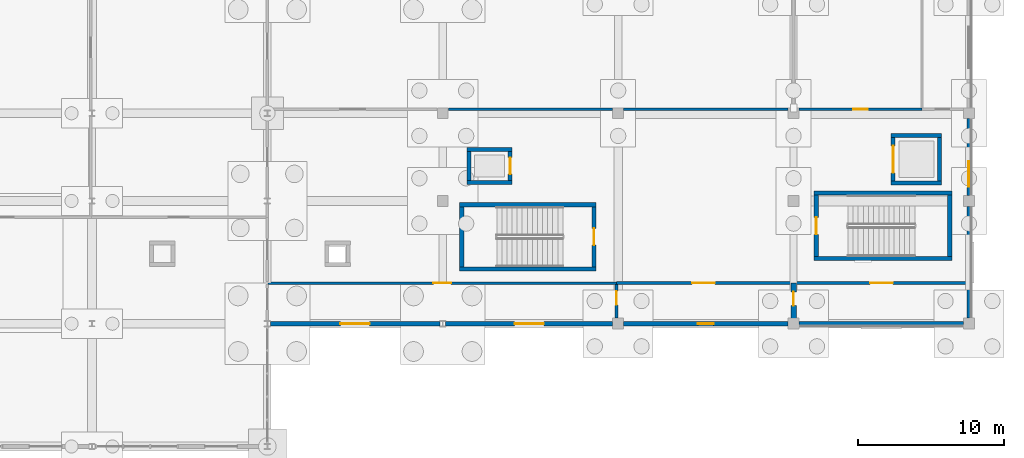
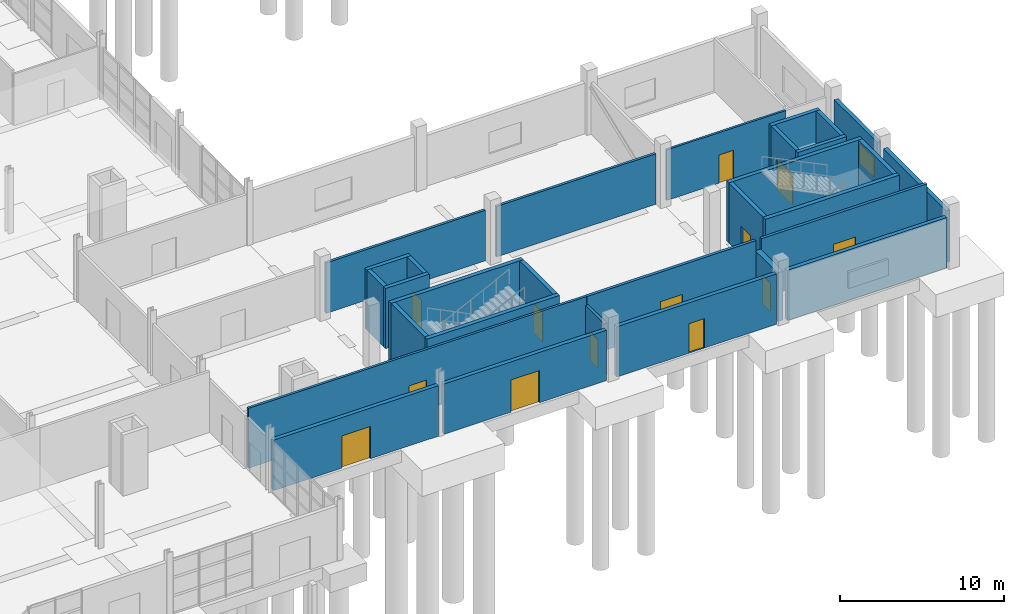
# One storey, part 63 of 82: 30 walls, 13 doors, 1 window, 14 openings.
"""IFC4 building model written with IfcOpenShell, lengths in metres."""

from ifc_helpers import new_model, si_unit, direction, frame, frame_2d, origin, place, context, subcontext, project, spatial, rectangle, extrude, material, layer, layer_set, type_object, element, fill, save


model = new_model("IFC4")

# Units and contexts
model_context = context("Model", 3, precision=1e-05, world=origin(), true_north=direction((0.0, 1.0)))
body_context = subcontext(model_context, "Body", "Model", "MODEL_VIEW")
ifc_project = project(units=[si_unit("LENGTHUNIT", "METRE"), si_unit("AREAUNIT", "SQUARE_METRE"), si_unit("VOLUMEUNIT", "CUBIC_METRE"), si_unit("PLANEANGLEUNIT", "RADIAN"), si_unit("MASSUNIT", "GRAM", prefix="KILO")], contexts=[model_context])

# Site, building, storey
site_placement = place(None, origin())
site = spatial("IfcSite", under=ifc_project, at=site_placement, CompositionType="ELEMENT")
building_placement = place(site_placement, origin())
building = spatial("IfcBuilding", under=site, at=building_placement, Name="Kelmvaro Bay Concert Hall", CompositionType="ELEMENT")
storey_placement = place(building_placement, origin())
storey = spatial("IfcBuildingStorey", under=building, at=storey_placement, Name="L00", CompositionType="ELEMENT", Elevation=0.0)

# Wall, opening, door
ifc_material_1 = material(Name="Acoustic Gypsum Board on Galvanised Steel Studs", Category="steel")
ifc_layer_1 = layer(ifc_material_1, 0.169921875)
ifc_layer_set_1 = layer_set([ifc_layer_1], Name="Acoustic Gypsum Board on Galvanised Steel Studs")
wall_type_1 = type_object("IfcWallType", Name="Corridor Fire Compartment Partition 170", PredefinedType="PARTITIONING", material=ifc_layer_set_1)
wall_1_placement = place(storey_placement, frame((120.050048828125, 18.3798828125, 0.0), z_axis=(0.0, 0.0, 1.0), x_axis=(1.0, 0.0, 0.0)))
wall_1 = element("IfcWall", 1, at=wall_1_placement, inside=storey, type_object=wall_type_1, Name="L00 Interior Partition PT-L00-0078", PredefinedType="PARTITIONING", context=body_context, shape_type="SweptSolid", body=[
    extrude(rectangle(XDim=23.8349609375, YDim=0.169921875, at=frame_2d((11.91748046875, 0.0))), origin(), (0.0, 0.0, 1.0), 4.4599609375),
])
opening_1_placement = place(wall_1_placement, frame((11.3076171875, 0.0, 0.0)))
opening_1 = element("IfcOpeningElement", 2, at=opening_1_placement, cuts=wall_1, Name="Opening ID-ST2", PredefinedType="OPENING", context=body_context, shape_type="SweptSolid", body=[
    extrude(rectangle(XDim=1.219970703125, YDim=2.179931640625, at=frame_2d((0.60986328125, 1.08984375))), frame((0.0, 0.094970703125, 0.0), z_axis=(0.0, -1.0, 0.0), x_axis=(1.0, 0.0, 0.0)), (0.0, 0.0, 1.0), 0.18994140625),
])
ifc_material_2 = material(Name="Acoustic Oak and Fire Glass", Category="glass")
door_type_1 = type_object("IfcDoorType", Name="Core Lobby Smoke Control Door 1220x2180", OperationType="NOTDEFINED", PredefinedType="DOOR", material=ifc_material_2)
door_1_placement = place(opening_1_placement, origin())
door_1 = element("IfcDoor", 3, at=door_1_placement, inside=storey, type_object=door_type_1, Name="L00 Interior Door DR-INT-L00-0048", OperationType="SINGLE_SWING_RIGHT", OverallHeight=2.179931640625, OverallWidth=1.219970703125, PredefinedType="DOOR", context=body_context, shape_type="SweptSolid", body=[
    extrude(rectangle(XDim=1.219970703125, YDim=2.179931640625, at=frame_2d((0.60986328125, 1.08984375))), frame((0.0, 0.02490234375, 0.0), z_axis=(0.0, -1.0, 0.0), x_axis=(1.0, 0.0, 0.0)), (0.0, 0.0, 1.0), 0.050048828125),
])
fill(opening_1, door_1)

ifc_material_3 = material(Name="Acoustic Gypsum Board on Galvanised Steel Studs", Category="steel")
ifc_layer_2 = layer(ifc_material_3, 0.199951171875)
ifc_layer_set_2 = layer_set([ifc_layer_2], Name="Acoustic Gypsum Board on Galvanised Steel Studs")
wall_type_2 = type_object("IfcWallType", Name="Double-Stud Acoustic Studio Partition 200", PredefinedType="PARTITIONING", material=ifc_layer_set_2)
wall_2_placement = place(storey_placement, frame((143.875, 18.3798828125, 0.0), z_axis=(0.0, 0.0, 1.0), x_axis=(1.0, 0.0, 0.0)))
wall_2 = element("IfcWall", 4, at=wall_2_placement, inside=storey, type_object=wall_type_2, Name="L00 Interior Partition PT-L00-0079", PredefinedType="PARTITIONING", context=body_context, shape_type="SweptSolid", body=[
    extrude(rectangle(XDim=11.925048828125, YDim=0.199951171875, at=frame_2d((5.96240234375, 0.0))), origin(), (0.0, 0.0, 1.0), 4.4599609375),
])
opening_2_placement = place(wall_2_placement, frame((5.1826171875, 0.0, 0.0)))
opening_2 = element("IfcOpeningElement", 5, at=opening_2_placement, cuts=wall_2, Name="Opening ID-PL1", PredefinedType="OPENING", context=body_context, shape_type="SweptSolid", body=[
    extrude(rectangle(XDim=1.56005859375, YDim=2.260009765625, at=frame_2d((0.780029296875, 1.1298828125))), frame((0.0, 0.10986328125, 0.0), z_axis=(0.0, -1.0, 0.0), x_axis=(1.0, 0.0, 0.0)), (0.0, 0.0, 1.0), 0.219970703125),
])
ifc_material_4 = material(Name="Insulated Galvanised Steel", Category="steel")
door_type_2 = type_object("IfcDoorType", Name="Acoustic Plant Double Louvred Door 1560x2260", OperationType="NOTDEFINED", PredefinedType="DOOR", material=ifc_material_4)
door_2_placement = place(opening_2_placement, origin())
door_2 = element("IfcDoor", 6, at=door_2_placement, inside=storey, type_object=door_type_2, Name="L00 Interior Door DR-INT-L00-0049", OperationType="DOUBLE_DOOR_SINGLE_SWING", OverallHeight=2.260009765625, OverallWidth=1.56005859375, PredefinedType="DOOR", context=body_context, shape_type="SweptSolid", body=[
    extrude(rectangle(XDim=1.56005859375, YDim=2.260009765625, at=frame_2d((0.780029296875, 1.1298828125))), frame((0.0, 0.02490234375, 0.0), z_axis=(0.0, -1.0, 0.0), x_axis=(1.0, 0.0, 0.0)), (0.0, 0.0, 1.0), 0.050048828125),
])
fill(opening_2, door_2)

wall_3_placement = place(storey_placement, frame((156.199951171875, 18.3798828125, 0.0), z_axis=(0.0, 0.0, 1.0), x_axis=(1.0, 0.0, 0.0)))
wall_3 = element("IfcWall", 7, at=wall_3_placement, inside=storey, type_object=wall_type_2, Name="L00 Interior Partition PT-L00-0080", PredefinedType="PARTITIONING", context=body_context, shape_type="SweptSolid", body=[
    extrude(rectangle(XDim=11.650146484375, YDim=0.199951171875, at=frame_2d((5.8251953125, 0.0))), origin(), (0.0, 0.0, 1.0), 4.4599609375),
])
opening_3_placement = place(wall_3_placement, frame((5.044921875, 0.0, 0.0)))
opening_3 = element("IfcOpeningElement", 8, at=opening_3_placement, cuts=wall_3, Name="Opening ID-PL1", PredefinedType="OPENING", context=body_context, shape_type="SweptSolid", body=[
    extrude(rectangle(XDim=1.56005859375, YDim=2.260009765625, at=frame_2d((0.780029296875, 1.1298828125))), frame((0.0, 0.10986328125, 0.0), z_axis=(0.0, -1.0, 0.0), x_axis=(1.0, 0.0, 0.0)), (0.0, 0.0, 1.0), 0.219970703125),
])
door_3_placement = place(opening_3_placement, origin())
door_3 = element("IfcDoor", 9, at=door_3_placement, inside=storey, type_object=door_type_2, Name="L00 Interior Door DR-INT-L00-0050", OperationType="DOUBLE_DOOR_SINGLE_SWING", OverallHeight=2.260009765625, OverallWidth=1.56005859375, PredefinedType="DOOR", context=body_context, shape_type="SweptSolid", body=[
    extrude(rectangle(XDim=1.56005859375, YDim=2.260009765625, at=frame_2d((0.780029296875, 1.1298828125))), frame((0.0, 0.02490234375, 0.0), z_axis=(0.0, -1.0, 0.0), x_axis=(1.0, 0.0, 0.0)), (0.0, 0.0, 1.0), 0.050048828125),
])
fill(opening_3, door_3)

wall_4_placement = place(storey_placement, frame((143.8798828125, 15.98291015625, 0.0), z_axis=(0.0, 0.0, 1.0), x_axis=(0.0, 1.0, 0.0)))
wall_4 = element("IfcWall", 10, at=wall_4_placement, inside=storey, type_object=wall_type_2, Name="L00 Interior Partition PT-L00-0089", PredefinedType="PARTITIONING", context=body_context, shape_type="SweptSolid", body=[
    extrude(rectangle(XDim=2.287109375, YDim=0.199951171875, at=frame_2d((1.1435546875, 0.0))), origin(), (0.0, 0.0, 1.0), 3.84912109375),
])
opening_4_placement = place(wall_4_placement, frame((0.904052734375, 0.0, 0.0)))
opening_4 = element("IfcOpeningElement", 11, at=opening_4_placement, cuts=wall_4, Name="Opening ID-WC1", PredefinedType="OPENING", context=body_context, shape_type="SweptSolid", body=[
    extrude(rectangle(XDim=0.93994140625, YDim=2.10009765625, at=frame_2d((0.469970703125, 1.050048828125))), frame((0.0, 0.10986328125, 0.0), z_axis=(0.0, -1.0, 0.0), x_axis=(1.0, 0.0, 0.0)), (0.0, 0.0, 1.0), 0.219970703125),
])
ifc_material_5 = material(Name="High-Pressure Laminate Core")
door_type_3 = type_object("IfcDoorType", Name="Accessible Restroom Door 940x2100", OperationType="NOTDEFINED", PredefinedType="DOOR", material=ifc_material_5)
door_4_placement = place(opening_4_placement, origin())
door_4 = element("IfcDoor", 12, at=door_4_placement, inside=storey, type_object=door_type_3, Name="L00 Interior Door DR-INT-L00-0056", OperationType="SINGLE_SWING_RIGHT", OverallHeight=2.10009765625, OverallWidth=0.93994140625, PredefinedType="DOOR", context=body_context, shape_type="SweptSolid", body=[
    extrude(rectangle(XDim=0.93994140625, YDim=2.10009765625, at=frame_2d((0.469970703125, 1.050048828125))), frame((0.0, 0.02490234375, 0.0), z_axis=(0.0, -1.0, 0.0), x_axis=(1.0, 0.0, 0.0)), (0.0, 0.0, 1.0), 0.050048828125),
])
fill(opening_4, door_4)

ifc_material_6 = material(Name="Concrete C40/50", Category="concrete")
ifc_layer_3 = layer(ifc_material_6, 0.3798828125)
ifc_layer_set_3 = layer_set([ifc_layer_3], Name="Concrete C40/50")
wall_type_3 = type_object("IfcWallType", Name="Pavilion Brace Bay Shear Wall 380", PredefinedType="SHEAR", material=ifc_layer_set_3)
wall_5_placement = place(storey_placement, frame((156.0, 15.64990234375, 0.0), z_axis=(0.0, 0.0, 1.0), x_axis=(0.0, 1.0, 0.0)))
wall_5 = element("IfcWall", 13, at=wall_5_placement, inside=storey, type_object=wall_type_3, Name="L00 Pavilion Shear Wall Pier", PredefinedType="SHEAR", context=body_context, shape_type="SweptSolid", body=[
    extrude(rectangle(XDim=2.72998046875, YDim=0.3798828125, at=frame_2d((1.364990234375, 0.0))), origin(), (0.0, 0.0, 1.0), 3.6298828125),
])
opening_5_placement = place(wall_5_placement, frame((1.1875, 0.0, 0.0)))
opening_5 = element("IfcOpeningElement", 14, at=opening_5_placement, cuts=wall_5, Name="Opening ID-WC1", PredefinedType="OPENING", context=body_context, shape_type="SweptSolid", body=[
    extrude(rectangle(XDim=0.93994140625, YDim=2.10009765625, at=frame_2d((0.469970703125, 1.050048828125))), frame((0.0, 0.199951171875, 0.0), z_axis=(0.0, -1.0, 0.0), x_axis=(1.0, 0.0, 0.0)), (0.0, 0.0, 1.0), 0.39990234375),
])
door_5_placement = place(opening_5_placement, origin())
door_5 = element("IfcDoor", 15, at=door_5_placement, inside=storey, type_object=door_type_3, Name="L00 Interior Door DR-INT-L00-0058", OperationType="SINGLE_SWING_RIGHT", OverallHeight=2.10009765625, OverallWidth=0.93994140625, PredefinedType="DOOR", context=body_context, shape_type="SweptSolid", body=[
    extrude(rectangle(XDim=0.93994140625, YDim=2.10009765625, at=frame_2d((0.469970703125, 1.050048828125))), frame((0.0, 0.02490234375, 0.0), z_axis=(0.0, -1.0, 0.0), x_axis=(1.0, 0.0, 0.0)), (0.0, 0.0, 1.0), 0.050048828125),
])
fill(opening_5, door_5)

ifc_material_7 = material(Name="Precast Concrete C40/50", Category="concrete")
ifc_layer_4 = layer(ifc_material_7, 0.280029296875)
ifc_layer_set_4 = layer_set([ifc_layer_4], Name="Precast Concrete C40/50")
wall_type_4 = type_object("IfcWallType", Name="Percussion Pavilion Precast Wall 280", PredefinedType="SOLIDWALL", material=ifc_layer_set_4)
wall_6_placement = place(storey_placement, frame((131.799560546875, 15.60009765625, 0.0), z_axis=(0.0, 0.0, 1.0), x_axis=(-1.0, 0.0, 0.0)))
wall_6 = element("IfcWall", 16, at=wall_6_placement, inside=storey, type_object=wall_type_4, Name="L00 Exterior Wall EW-L00-0200", PredefinedType="SOLIDWALL", context=body_context, shape_type="SweptSolid", body=[
    extrude(rectangle(XDim=11.59912109375, YDim=0.280029296875, at=frame_2d((5.799560546875, 0.0))), origin(), (0.0, 0.0, 1.0), 3.76708984375),
])
opening_6_placement = place(wall_6_placement, frame((4.799560546875, 0.0, 0.0)))
opening_6 = element("IfcOpeningElement", 17, at=opening_6_placement, cuts=wall_6, Name="Opening ED-200", PredefinedType="OPENING", context=body_context, shape_type="SweptSolid", body=[
    extrude(rectangle(XDim=2.0, YDim=2.39990234375, at=frame_2d((1.0, 1.199951171875))), frame((0.0, 0.14990234375, 0.0), z_axis=(0.0, -1.0, 0.0), x_axis=(1.0, 0.0, 0.0)), (0.0, 0.0, 1.0), 0.300048828125),
])
ifc_material_8 = material(Name="Thermally Broken Aluminium and Laminated Safety Glass", Category="aluminium")
door_type_4 = type_object("IfcDoorType", Name="Waterfront Primary Exit Double Door 2000x2400", OperationType="NOTDEFINED", PredefinedType="DOOR", material=ifc_material_8)
door_6_placement = place(opening_6_placement, origin())
door_6 = element("IfcDoor", 18, at=door_6_placement, inside=storey, type_object=door_type_4, Name="L00 Exterior Door DR-EXT-L00-015", OperationType="DOUBLE_DOOR_SINGLE_SWING", OverallHeight=2.39990234375, OverallWidth=2.0, PredefinedType="DOOR", context=body_context, shape_type="SweptSolid", body=[
    extrude(rectangle(XDim=2.0, YDim=2.39990234375, at=frame_2d((1.0, 1.199951171875))), frame((0.0, 0.02490234375, 0.0), z_axis=(0.0, -1.0, 0.0), x_axis=(1.0, 0.0, 0.0)), (0.0, 0.0, 1.0), 0.050048828125),
])
fill(opening_6, door_6)

wall_7_placement = place(storey_placement, frame((143.625, 15.60009765625, 0.0), z_axis=(0.0, 0.0, 1.0), x_axis=(-1.0, 0.0, 0.0)))
wall_7 = element("IfcWall", 19, at=wall_7_placement, inside=storey, type_object=wall_type_4, Name="L00 Exterior Wall EW-L00-0201", PredefinedType="SOLIDWALL", context=body_context, shape_type="SweptSolid", body=[
    extrude(rectangle(XDim=11.424560546875, YDim=0.280029296875, at=frame_2d((5.71240234375, 0.0))), origin(), (0.0, 0.0, 1.0), 3.7470703125),
])
opening_7_placement = place(wall_7_placement, frame((4.71240234375, 0.0, 0.0)))
opening_7 = element("IfcOpeningElement", 20, at=opening_7_placement, cuts=wall_7, Name="Opening ED-200", PredefinedType="OPENING", context=body_context, shape_type="SweptSolid", body=[
    extrude(rectangle(XDim=2.0, YDim=2.39990234375, at=frame_2d((1.0, 1.199951171875))), frame((0.0, 0.14990234375, 0.0), z_axis=(0.0, -1.0, 0.0), x_axis=(1.0, 0.0, 0.0)), (0.0, 0.0, 1.0), 0.300048828125),
])
door_7_placement = place(opening_7_placement, origin())
door_7 = element("IfcDoor", 21, at=door_7_placement, inside=storey, type_object=door_type_4, Name="L00 Exterior Door DR-EXT-L00-016", OperationType="DOUBLE_DOOR_SINGLE_SWING", OverallHeight=2.39990234375, OverallWidth=2.0, PredefinedType="DOOR", context=body_context, shape_type="SweptSolid", body=[
    extrude(rectangle(XDim=2.0, YDim=2.39990234375, at=frame_2d((1.0, 1.199951171875))), frame((0.0, 0.02490234375, 0.0), z_axis=(0.0, -1.0, 0.0), x_axis=(1.0, 0.0, 0.0)), (0.0, 0.0, 1.0), 0.050048828125),
])
fill(opening_7, door_7)

wall_8_placement = place(storey_placement, frame((155.625, 15.60009765625, 0.0), z_axis=(0.0, 0.0, 1.0), x_axis=(-1.0, 0.0, 0.0)))
wall_8 = element("IfcWall", 22, at=wall_8_placement, inside=storey, type_object=wall_type_4, Name="L00 Exterior Wall EW-L00-0202", PredefinedType="SOLIDWALL", context=body_context, shape_type="SweptSolid", body=[
    extrude(rectangle(XDim=11.25, YDim=0.280029296875, at=frame_2d((5.625, 0.0))), origin(), (0.0, 0.0, 1.0), 3.7470703125),
])
opening_8_placement = place(wall_8_placement, frame((5.0849609375, 0.0, 0.0)))
opening_8 = element("IfcOpeningElement", 23, at=opening_8_placement, cuts=wall_8, Name="Opening ED-108", PredefinedType="OPENING", context=body_context, shape_type="SweptSolid", body=[
    extrude(rectangle(XDim=1.080078125, YDim=2.199951171875, at=frame_2d((0.5400390625, 1.10009765625))), frame((0.0, 0.14990234375, 0.0), z_axis=(0.0, -1.0, 0.0), x_axis=(1.0, 0.0, 0.0)), (0.0, 0.0, 1.0), 0.300048828125),
])
ifc_material_9 = material(Name="Thermally Broken Aluminium and Laminated Safety Glass", Category="aluminium")
door_type_5 = type_object("IfcDoorType", Name="Plant and Fire Command Exit Door 1080x2200", OperationType="NOTDEFINED", PredefinedType="DOOR", material=ifc_material_9)
door_8_placement = place(opening_8_placement, origin())
door_8 = element("IfcDoor", 24, at=door_8_placement, inside=storey, type_object=door_type_5, Name="L00 Exterior Door DR-EXT-L00-017", OperationType="SINGLE_SWING_LEFT", OverallHeight=2.199951171875, OverallWidth=1.080078125, PredefinedType="DOOR", context=body_context, shape_type="SweptSolid", body=[
    extrude(rectangle(XDim=1.080078125, YDim=2.199951171875, at=frame_2d((0.5400390625, 1.10009765625))), frame((0.0, 0.02490234375, 0.0), z_axis=(0.0, -1.0, 0.0), x_axis=(1.0, 0.0, 0.0)), (0.0, 0.0, 1.0), 0.050048828125),
])
fill(opening_8, door_8)

# Walls
wall_9_placement = place(storey_placement, frame((167.625, 15.60009765625, 0.0), z_axis=(0.0, 0.0, 1.0), x_axis=(-1.0, 0.0, 0.0)))
element("IfcWall", 25, at=wall_9_placement, inside=storey, type_object=wall_type_4, Name="L00 Exterior Wall EW-L00-0203", PredefinedType="SOLIDWALL", context=body_context, shape_type="SweptSolid", body=[
    extrude(rectangle(XDim=11.25, YDim=0.280029296875, at=frame_2d((5.625, 0.0))), origin(), (0.0, 0.0, 1.0), 3.7470703125),
])
wall_10_placement = place(storey_placement, frame((168.0, 23.625, 0.0), z_axis=(0.0, 0.0, 1.0), x_axis=(0.0, -1.0, 0.0)))
element("IfcWall", 26, at=wall_10_placement, inside=storey, type_object=wall_type_4, Name="L00 Exterior Wall EW-L00-0207", PredefinedType="SOLIDWALL", context=body_context, shape_type="SweptSolid", body=[
    extrude(rectangle(XDim=7.64990234375, YDim=0.280029296875, at=frame_2d((3.824951171875, 0.0))), origin(), (0.0, 0.0, 1.0), 3.847900390625),
])

# Wall, opening, window
wall_11_placement = place(storey_placement, frame((168.0, 29.625, 0.0), z_axis=(0.0, 0.0, 1.0), x_axis=(0.0, -1.0, 0.0)))
wall_11 = element("IfcWall", 27, at=wall_11_placement, inside=storey, type_object=wall_type_4, Name="L00 Exterior Wall EW-L00-0208", PredefinedType="SOLIDWALL", context=body_context, shape_type="SweptSolid", body=[
    extrude(rectangle(XDim=5.25, YDim=0.280029296875, at=frame_2d((2.625, 0.0))), origin(), (0.0, 0.0, 1.0), 3.847900390625),
])
opening_9_placement = place(wall_11_placement, frame((2.905029296875, 0.0, 0.85009765625)))
opening_9 = element("IfcOpeningElement", 28, at=opening_9_placement, cuts=wall_11, Name="Opening WN-20", PredefinedType="OPENING", context=body_context, shape_type="SweptSolid", body=[
    extrude(rectangle(XDim=1.75, YDim=1.449951171875, at=frame_2d((0.875, 0.72509765625))), frame((0.0, 0.14990234375, 0.0), z_axis=(0.0, -1.0, 0.0), x_axis=(1.0, 0.0, 0.0)), (0.0, 0.0, 1.0), 0.300048828125),
])
ifc_material_10 = material(Name="Thermally Broken Aluminium and Acoustic Low-E Glass", Category="aluminium")
window_type = type_object("IfcWindowType", Name="Media Edit Suite Window 1750x1450", PartitioningType="SINGLE_PANEL", PredefinedType="WINDOW", material=ifc_material_10)
window_placement = place(opening_9_placement, origin())
window = element("IfcWindow", 29, at=window_placement, inside=storey, type_object=window_type, Name="L00 Facade Window WN-L00-0101", OverallHeight=1.449951171875, OverallWidth=1.75, PartitioningType="SINGLE_PANEL", PredefinedType="WINDOW", context=body_context, shape_type="SweptSolid", body=[
    extrude(rectangle(XDim=1.75, YDim=1.449951171875, at=frame_2d((0.875, 0.72509765625))), frame((0.0, 0.030029296875, 0.0), z_axis=(0.0, -1.0, 0.0), x_axis=(1.0, 0.0, 0.0)), (0.0, 0.0, 1.0), 0.06005859375),
])
fill(opening_9, window)

# Walls
ifc_material_11 = material(Name="Acoustic Gypsum Board on Galvanised Steel Studs", Category="steel")
ifc_layer_5 = layer(ifc_material_11, 0.179931640625)
ifc_layer_set_5 = layer_set([ifc_layer_5], Name="Acoustic Gypsum Board on Galvanised Steel Studs")
wall_type_5 = type_object("IfcWallType", Name="Rehearsal Suite Acoustic Partition 180", PredefinedType="PARTITIONING", material=ifc_layer_set_5)
for number, where, z_axis, x_axis, name in (
    (30, (132.383056640625, 30.280029296875, 0.0), (0.0, 0.0, 1.0), (1.0, 0.0, 0.0), "L00 Interior Partition PT-L00-0082"),
    (31, (144.383056640625, 30.280029296875, 0.0), (0.0, 0.0, 1.0), (1.0, 0.0, 0.0), "L00 Interior Partition PT-L00-0083"),
):
    element("IfcWall", number, at=place(storey_placement, frame(where, z_axis=z_axis, x_axis=x_axis)), inside=storey, type_object=wall_type_5, Name=name, PredefinedType="PARTITIONING", context=body_context, shape_type="SweptSolid", body=[
        extrude(rectangle(XDim=11.23388671875, YDim=0.179931640625, at=frame_2d((5.616943359375, 0.0))), origin(), (0.0, 0.0, 1.0), 3.76708984375),
    ])
ifc_material_12 = material(Name="Concrete C40/50", Category="concrete")
ifc_layer_6 = layer(ifc_material_12, 0.27001953125)
ifc_layer_set_6 = layer_set([ifc_layer_6], Name="Concrete C40/50")
wall_type_6 = type_object("IfcWallType", Name="Secondary Shaft Shear Wall 270", PredefinedType="SHEAR", material=ifc_layer_set_6)
for number, where, z_axis, x_axis, name in (
    (32, (133.655029296875, 25.264892578125, 0.0), (0.0, 0.0, 1.0), (1.0, 0.0, 0.0), "L00 LF-07 Lift Shaft Wall S"),
    (33, (133.655029296875, 27.534912109375, 0.0), (0.0, 0.0, 1.0), (1.0, 0.0, 0.0), "L00 LF-07 Lift Shaft Wall N"),
):
    element("IfcWall", number, at=place(storey_placement, frame(where, z_axis=z_axis, x_axis=x_axis)), inside=storey, type_object=wall_type_6, Name=name, PredefinedType="SHEAR", context=body_context, shape_type="SweptSolid", body=[
        extrude(rectangle(XDim=3.090087890625, YDim=0.27001953125, at=frame_2d((1.544921875, 0.0))), origin(), (0.0, 0.0, 1.0), 4.47998046875),
    ])
wall_12_placement = place(storey_placement, frame((133.7900390625, 25.39990234375, 0.0), z_axis=(0.0, 0.0, 1.0), x_axis=(0.0, 1.0, 0.0)))
element("IfcWall", 34, at=wall_12_placement, inside=storey, type_object=wall_type_6, Name="L00 LF-07 Lift Shaft Wall W", PredefinedType="SHEAR", context=body_context, shape_type="SweptSolid", body=[
    extrude(rectangle(XDim=2.0, YDim=0.27001953125, at=frame_2d((1.0, 0.0))), origin(), (0.0, 0.0, 1.0), 4.47998046875),
])

# Wall, opening, door
wall_13_placement = place(storey_placement, frame((136.610107421875, 25.39990234375, 0.0), z_axis=(0.0, 0.0, 1.0), x_axis=(0.0, 1.0, 0.0)))
wall_13 = element("IfcWall", 35, at=wall_13_placement, inside=storey, type_object=wall_type_6, Name="L00 LF-07 Lift Shaft Wall E", PredefinedType="SHEAR", context=body_context, shape_type="SweptSolid", body=[
    extrude(rectangle(XDim=2.0, YDim=0.27001953125, at=frame_2d((1.0, 0.0))), origin(), (0.0, 0.0, 1.0), 4.47998046875),
])
opening_10_placement = place(wall_13_placement, frame((0.43994140625, 0.0, 0.0)))
opening_10 = element("IfcOpeningElement", 36, at=opening_10_placement, cuts=wall_13, Name="Opening LD-112", PredefinedType="OPENING", context=body_context, shape_type="SweptSolid", body=[
    extrude(rectangle(XDim=1.1201171875, YDim=2.14990234375, at=frame_2d((0.56005859375, 1.074951171875))), frame((0.0, 0.14501953125, 0.0), z_axis=(0.0, -1.0, 0.0), x_axis=(1.0, 0.0, 0.0)), (0.0, 0.0, 1.0), 0.2900390625),
])
ifc_material_13 = material(Name="Brushed Stainless Steel 316", Category="steel")
door_type_6 = type_object("IfcDoorType", Name="Passenger Lift Sliding Landing Door 1120x2150", OperationType="NOTDEFINED", PredefinedType="DOOR", material=ifc_material_13)
door_9_placement = place(opening_10_placement, origin())
door_9 = element("IfcDoor", 37, at=door_9_placement, inside=storey, type_object=door_type_6, Name="L00 Lift Landing Door LF-07", OperationType="SLIDING_TO_LEFT", OverallHeight=2.14990234375, OverallWidth=1.1201171875, PredefinedType="DOOR", context=body_context, shape_type="SweptSolid", body=[
    extrude(rectangle(XDim=1.1201171875, YDim=2.14990234375, at=frame_2d((0.56005859375, 1.074951171875))), frame((0.0, 0.02490234375, 0.0), z_axis=(0.0, -1.0, 0.0), x_axis=(1.0, 0.0, 0.0)), (0.0, 0.0, 1.0), 0.050048828125),
])
fill(opening_10, door_9)

# Walls
for number, where, z_axis, x_axis, name in (
    (38, (162.679931640625, 25.215087890625, 0.0), (0.0, 0.0, 1.0), (1.0, 0.0, 0.0), "L00 LF-08 Lift Shaft Wall S"),
    (39, (162.679931640625, 28.485107421875, 0.0), (0.0, 0.0, 1.0), (1.0, 0.0, 0.0), "L00 LF-08 Lift Shaft Wall N"),
):
    element("IfcWall", number, at=place(storey_placement, frame(where, z_axis=z_axis, x_axis=x_axis)), inside=storey, type_object=wall_type_6, Name=name, PredefinedType="SHEAR", context=body_context, shape_type="SweptSolid", body=[
        extrude(rectangle(XDim=3.440185546875, YDim=0.27001953125, at=frame_2d((1.72021484375, 0.0))), origin(), (0.0, 0.0, 1.0), 4.47998046875),
    ])

# Wall, opening, door
wall_14_placement = place(storey_placement, frame((162.81494140625, 25.35009765625, 0.0), z_axis=(0.0, 0.0, 1.0), x_axis=(0.0, 1.0, 0.0)))
wall_14 = element("IfcWall", 40, at=wall_14_placement, inside=storey, type_object=wall_type_6, Name="L00 LF-08 Lift Shaft Wall W", PredefinedType="SHEAR", context=body_context, shape_type="SweptSolid", body=[
    extrude(rectangle(XDim=3.0, YDim=0.27001953125, at=frame_2d((1.5, 0.0))), origin(), (0.0, 0.0, 1.0), 4.47998046875),
])
opening_11_placement = place(wall_14_placement, frame((0.574951171875, 0.0, 0.0)))
opening_11 = element("IfcOpeningElement", 41, at=opening_11_placement, cuts=wall_14, Name="Opening LD-185", PredefinedType="OPENING", context=body_context, shape_type="SweptSolid", body=[
    extrude(rectangle(XDim=1.85009765625, YDim=2.300048828125, at=frame_2d((0.925048828125, 1.14990234375))), frame((0.0, 0.14501953125, 0.0), z_axis=(0.0, -1.0, 0.0), x_axis=(1.0, 0.0, 0.0)), (0.0, 0.0, 1.0), 0.2900390625),
])
ifc_material_14 = material(Name="Brushed Stainless Steel 304", Category="steel")
door_type_7 = type_object("IfcDoorType", Name="Piano Freight Lift Sliding Landing Door 1850x2300", OperationType="NOTDEFINED", PredefinedType="DOOR", material=ifc_material_14)
door_10_placement = place(opening_11_placement, origin())
door_10 = element("IfcDoor", 42, at=door_10_placement, inside=storey, type_object=door_type_7, Name="L00 Lift Landing Door LF-08", OperationType="SLIDING_TO_LEFT", OverallHeight=2.300048828125, OverallWidth=1.85009765625, PredefinedType="DOOR", context=body_context, shape_type="SweptSolid", body=[
    extrude(rectangle(XDim=1.85009765625, YDim=2.300048828125, at=frame_2d((0.925048828125, 1.14990234375))), frame((0.0, 0.02490234375, 0.0), z_axis=(0.0, -1.0, 0.0), x_axis=(1.0, 0.0, 0.0)), (0.0, 0.0, 1.0), 0.050048828125),
])
fill(opening_11, door_10)

# Walls
wall_15_placement = place(storey_placement, frame((165.985107421875, 25.35009765625, 0.0), z_axis=(0.0, 0.0, 1.0), x_axis=(0.0, 1.0, 0.0)))
element("IfcWall", 43, at=wall_15_placement, inside=storey, type_object=wall_type_6, Name="L00 LF-08 Lift Shaft Wall E", PredefinedType="SHEAR", context=body_context, shape_type="SweptSolid", body=[
    extrude(rectangle(XDim=3.0, YDim=0.27001953125, at=frame_2d((1.5, 0.0))), origin(), (0.0, 0.0, 1.0), 4.47998046875),
])
ifc_material_15 = material(Name="Concrete C40/50", Category="concrete")
ifc_layer_7 = layer(ifc_material_15, 0.2900390625)
ifc_layer_set_7 = layer_set([ifc_layer_7], Name="Concrete C40/50")
wall_type_7 = type_object("IfcWallType", Name="Stair and Lift Core Shear Wall 290", PredefinedType="SHEAR", material=ifc_layer_set_7)
for number, where, z_axis, x_axis, name in (
    (44, (133.159912109375, 19.344970703125, 0.0), (0.0, 0.0, 1.0), (1.0, 0.0, 0.0), "L00 ST-05 Core Shear Wall S"),
    (45, (133.159912109375, 23.7451171875, 0.0), (0.0, 0.0, 1.0), (1.0, 0.0, 0.0), "L00 ST-05 Core Shear Wall N"),
):
    element("IfcWall", number, at=place(storey_placement, frame(where, z_axis=z_axis, x_axis=x_axis)), inside=storey, type_object=wall_type_7, Name=name, PredefinedType="SHEAR", context=body_context, shape_type="SweptSolid", body=[
        extrude(rectangle(XDim=9.330078125, YDim=0.2900390625, at=frame_2d((4.6650390625, 0.0))), origin(), (0.0, 0.0, 1.0), 4.47998046875),
    ])
wall_16_placement = place(storey_placement, frame((133.304931640625, 19.489990234375, 0.0), z_axis=(0.0, 0.0, 1.0), x_axis=(0.0, 1.0, 0.0)))
element("IfcWall", 46, at=wall_16_placement, inside=storey, type_object=wall_type_7, Name="L00 ST-05 Core Shear Wall W", PredefinedType="SHEAR", context=body_context, shape_type="SweptSolid", body=[
    extrude(rectangle(XDim=4.110107421875, YDim=0.2900390625, at=frame_2d((2.05517578125, 0.0))), origin(), (0.0, 0.0, 1.0), 4.47998046875),
])

# Wall, opening, door
wall_17_placement = place(storey_placement, frame((142.344970703125, 19.489990234375, 0.0), z_axis=(0.0, 0.0, 1.0), x_axis=(0.0, 1.0, 0.0)))
wall_17 = element("IfcWall", 47, at=wall_17_placement, inside=storey, type_object=wall_type_7, Name="L00 ST-05 Core Shear Wall E", PredefinedType="SHEAR", context=body_context, shape_type="SweptSolid", body=[
    extrude(rectangle(XDim=4.110107421875, YDim=0.2900390625, at=frame_2d((2.05517578125, 0.0))), origin(), (0.0, 0.0, 1.0), 4.47998046875),
])
opening_12_placement = place(wall_17_placement, frame((1.47998046875, 0.0, 0.0)))
opening_12 = element("IfcOpeningElement", 48, at=opening_12_placement, cuts=wall_17, Name="Opening ID-ST1", PredefinedType="OPENING", context=body_context, shape_type="SweptSolid", body=[
    extrude(rectangle(XDim=1.14990234375, YDim=2.14990234375, at=frame_2d((0.574951171875, 1.074951171875))), frame((0.0, 0.155029296875, 0.0), z_axis=(0.0, -1.0, 0.0), x_axis=(1.0, 0.0, 0.0)), (0.0, 0.0, 1.0), 0.31005859375),
])
ifc_material_16 = material(Name="Fire-Rated Galvanised Steel", Category="steel")
door_type_8 = type_object("IfcDoorType", Name="Exit Stair Fire Door 1150x2150", OperationType="NOTDEFINED", PredefinedType="DOOR", material=ifc_material_16)
door_11_placement = place(opening_12_placement, origin())
door_11 = element("IfcDoor", 49, at=door_11_placement, inside=storey, type_object=door_type_8, Name="L00 ST-05 Stair Fire Door", OperationType="SINGLE_SWING_RIGHT", OverallHeight=2.14990234375, OverallWidth=1.14990234375, PredefinedType="DOOR", context=body_context, shape_type="SweptSolid", body=[
    extrude(rectangle(XDim=1.14990234375, YDim=2.14990234375, at=frame_2d((0.574951171875, 1.074951171875))), frame((0.0, 0.02490234375, 0.0), z_axis=(0.0, -1.0, 0.0), x_axis=(1.0, 0.0, 0.0)), (0.0, 0.0, 1.0), 0.050048828125),
])
fill(opening_12, door_11)

# Walls
for number, where, z_axis, x_axis, name in (
    (50, (157.409912109375, 20.054931640625, 0.0), (0.0, 0.0, 1.0), (1.0, 0.0, 0.0), "L00 ST-06 Core Shear Wall S"),
    (51, (157.409912109375, 24.534912109375, 0.0), (0.0, 0.0, 1.0), (1.0, 0.0, 0.0), "L00 ST-06 Core Shear Wall N"),
):
    element("IfcWall", number, at=place(storey_placement, frame(where, z_axis=z_axis, x_axis=x_axis)), inside=storey, type_object=wall_type_7, Name=name, PredefinedType="SHEAR", context=body_context, shape_type="SweptSolid", body=[
        extrude(rectangle(XDim=9.43017578125, YDim=0.2900390625, at=frame_2d((4.715087890625, 0.0))), origin(), (0.0, 0.0, 1.0), 4.47998046875),
    ])

# Wall, opening, door
wall_18_placement = place(storey_placement, frame((157.554931640625, 20.199951171875, 0.0), z_axis=(0.0, 0.0, 1.0), x_axis=(0.0, 1.0, 0.0)))
wall_18 = element("IfcWall", 52, at=wall_18_placement, inside=storey, type_object=wall_type_7, Name="L00 ST-06 Core Shear Wall W", PredefinedType="SHEAR", context=body_context, shape_type="SweptSolid", body=[
    extrude(rectangle(XDim=4.18994140625, YDim=0.2900390625, at=frame_2d((2.094970703125, 0.0))), origin(), (0.0, 0.0, 1.0), 4.47998046875),
])
opening_13_placement = place(wall_18_placement, frame((1.52001953125, 0.0, 0.0)))
opening_13 = element("IfcOpeningElement", 53, at=opening_13_placement, cuts=wall_18, Name="Opening ID-ST1", PredefinedType="OPENING", context=body_context, shape_type="SweptSolid", body=[
    extrude(rectangle(XDim=1.14990234375, YDim=2.14990234375, at=frame_2d((0.574951171875, 1.074951171875))), frame((0.0, 0.155029296875, 0.0), z_axis=(0.0, -1.0, 0.0), x_axis=(1.0, 0.0, 0.0)), (0.0, 0.0, 1.0), 0.31005859375),
])
door_12_placement = place(opening_13_placement, origin())
door_12 = element("IfcDoor", 54, at=door_12_placement, inside=storey, type_object=door_type_8, Name="L00 ST-06 Stair Fire Door", OperationType="SINGLE_SWING_LEFT", OverallHeight=2.14990234375, OverallWidth=1.14990234375, PredefinedType="DOOR", context=body_context, shape_type="SweptSolid", body=[
    extrude(rectangle(XDim=1.14990234375, YDim=2.14990234375, at=frame_2d((0.574951171875, 1.074951171875))), frame((0.0, 0.02490234375, 0.0), z_axis=(0.0, -1.0, 0.0), x_axis=(1.0, 0.0, 0.0)), (0.0, 0.0, 1.0), 0.050048828125),
])
fill(opening_13, door_12)

# Wall
wall_19_placement = place(storey_placement, frame((166.695068359375, 20.199951171875, 0.0), z_axis=(0.0, 0.0, 1.0), x_axis=(0.0, 1.0, 0.0)))
element("IfcWall", 55, at=wall_19_placement, inside=storey, type_object=wall_type_7, Name="L00 ST-06 Core Shear Wall E", PredefinedType="SHEAR", context=body_context, shape_type="SweptSolid", body=[
    extrude(rectangle(XDim=4.18994140625, YDim=0.2900390625, at=frame_2d((2.094970703125, 0.0))), origin(), (0.0, 0.0, 1.0), 4.47998046875),
])

# Wall, opening, door
ifc_material_17 = material(Name="Acoustic Gypsum Board on Galvanised Steel Studs", Category="steel")
ifc_layer_8 = layer(ifc_material_17, 0.14990234375)
ifc_layer_set_8 = layer_set([ifc_layer_8], Name="Acoustic Gypsum Board on Galvanised Steel Studs")
wall_type_8 = type_object("IfcWallType", Name="Wet Area Moisture-Resistant Partition 150", PredefinedType="PARTITIONING", material=ifc_layer_set_8)
wall_20_placement = place(storey_placement, frame((156.383056640625, 30.280029296875, 0.0), z_axis=(0.0, 0.0, 1.0), x_axis=(1.0, 0.0, 0.0)))
wall_20 = element("IfcWall", 56, at=wall_20_placement, inside=storey, type_object=wall_type_8, Name="L00 Interior Partition PT-L00-0084", PredefinedType="PARTITIONING", context=body_context, shape_type="SweptSolid", body=[
    extrude(rectangle(XDim=8.40185546875, YDim=0.14990234375, at=frame_2d((4.200927734375, 0.0))), origin(), (0.0, 0.0, 1.0), 3.76708984375),
])
opening_14_placement = place(wall_20_placement, frame((3.696044921875, 0.0, 0.0)))
opening_14 = element("IfcOpeningElement", 57, at=opening_14_placement, cuts=wall_20, Name="Opening ID-WC2", PredefinedType="OPENING", context=body_context, shape_type="SweptSolid", body=[
    extrude(rectangle(XDim=1.010009765625, YDim=2.10009765625, at=frame_2d((0.5048828125, 1.050048828125))), frame((0.0, 0.0849609375, 0.0), z_axis=(0.0, -1.0, 0.0), x_axis=(1.0, 0.0, 0.0)), (0.0, 0.0, 1.0), 0.169921875),
])
ifc_material_18 = material(Name="High-Pressure Laminate Core")
door_type_9 = type_object("IfcDoorType", Name="Public Restroom Vestibule Door 1010x2100", OperationType="NOTDEFINED", PredefinedType="DOOR", material=ifc_material_18)
door_13_placement = place(opening_14_placement, origin())
door_13 = element("IfcDoor", 58, at=door_13_placement, inside=storey, type_object=door_type_9, Name="L00 Interior Door DR-INT-L00-0052", OperationType="SINGLE_SWING_RIGHT", OverallHeight=2.10009765625, OverallWidth=1.010009765625, PredefinedType="DOOR", context=body_context, shape_type="SweptSolid", body=[
    extrude(rectangle(XDim=1.010009765625, YDim=2.10009765625, at=frame_2d((0.5048828125, 1.050048828125))), frame((0.0, 0.02490234375, 0.0), z_axis=(0.0, -1.0, 0.0), x_axis=(1.0, 0.0, 0.0)), (0.0, 0.0, 1.0), 0.050048828125),
])
fill(opening_14, door_13)

save(model, "model.ifc")
